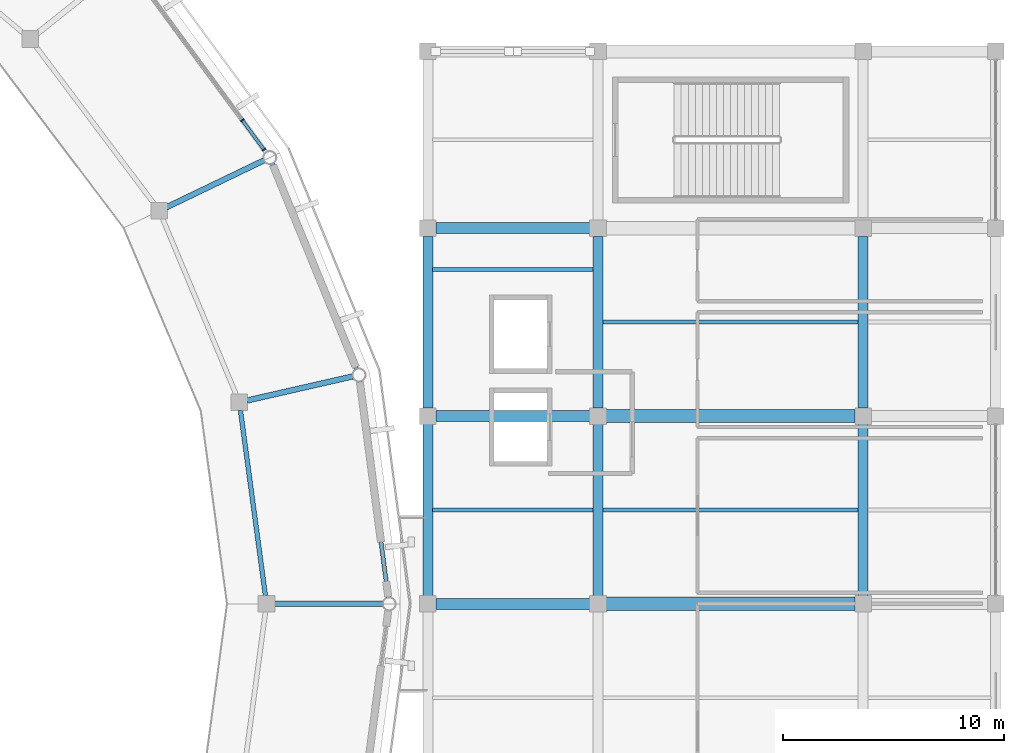
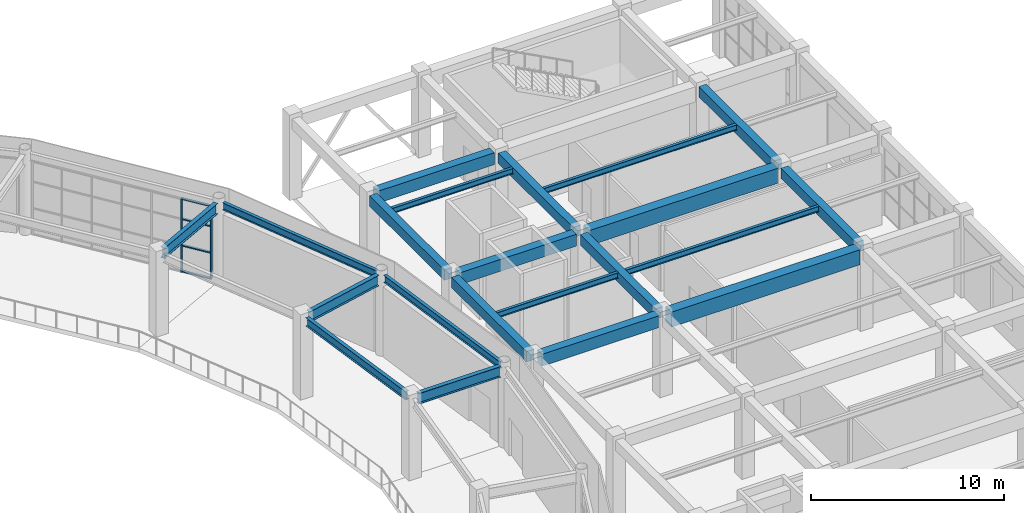
# One storey, part 37 of 70: 21 beams, 6 members, 1 element without a shape of its own.
"""IFC4 building model written with IfcOpenShell, lengths in metres."""

import ifcopenshell
import ifcopenshell.guid

model = None  # the IFC model being written
_history = None  # IfcOwnerHistory: only IFC2X3 demands one
_inside = {}  # id of a spatial element -> (the spatial element, [elements in it])
_under = {}  # id of a project, library or spatial element -> (it, [spatial elements below it])
_declared = {}  # id of a project -> (the project, [libraries it declares])
_typed = {}  # id of a type object -> (the type object, [elements of that type])
_made_of = {}  # id of a material, layer set ... -> (it, [elements and type objects made of it])


def new_model(schema):
    """Start an empty IFC model of exactly this schema.

    Asked for "IFC4X3", IfcOpenShell would pick the latest addendum, in which some entities
    have other attributes; the version numbers below select the first issue.
    IFC2X3 requires an IfcOwnerHistory on every rooted entity: one is made here for all.
    """
    global model, _history
    if schema == "IFC4X3":
        model = ifcopenshell.file(schema_version=(4, 3, 0, 0))
    else:
        model = ifcopenshell.file(schema=schema)
    _inside.clear()
    _under.clear()
    _declared.clear()
    _typed.clear()
    _made_of.clear()
    _history = None
    if model.schema == "IFC2X3":
        org = make("IfcOrganization", Name="unknown")
        user = make(
            "IfcPersonAndOrganization",
            ThePerson=make("IfcPerson", FamilyName="unknown"),
            TheOrganization=org,
        )
        app = make(
            "IfcApplication",
            ApplicationDeveloper=org,
            Version="unknown",
            ApplicationFullName="unknown",
            ApplicationIdentifier="unknown",
        )
        _history = make(
            "IfcOwnerHistory",
            OwningUser=user,
            OwningApplication=app,
            ChangeAction="ADDED",
            CreationDate=0,
        )
    return model


def make(cls, **values):
    """One entity of the class cls with the attributes given. An attribute that is None is left unset."""
    return model.create_entity(
        cls, **{name: value for name, value in values.items() if value is not None}
    )


def rooted(cls, **values):
    """An entity with a GlobalId (a new one), such as an element, a storey or a relation."""
    return make(cls, GlobalId=ifcopenshell.guid.new(), OwnerHistory=_history, **values)


def si_unit(unit_type, name, prefix=None):
    """IfcSIUnit, for example si_unit("LENGTHUNIT", "METRE", prefix="MILLI")."""
    return make("IfcSIUnit", UnitType=unit_type, Prefix=prefix, Name=name)


def assignment(units):
    """IfcUnitAssignment: the units of a project."""
    return None if units is None else make("IfcUnitAssignment", Units=units)


def point(xyz):
    """IfcCartesianPoint."""
    return None if xyz is None else make("IfcCartesianPoint", Coordinates=xyz)


def direction(xyz):
    """IfcDirection."""
    return None if xyz is None else make("IfcDirection", DirectionRatios=xyz)


def frame(location, z_axis=None, x_axis=None):
    """IfcAxis2Placement3D, a coordinate frame: its origin and axes. An axis left out is left unset."""
    return make(
        "IfcAxis2Placement3D",
        Location=point(location),
        Axis=direction(z_axis),
        RefDirection=direction(x_axis),
    )


def frame_2d(location, x_axis=None):
    """IfcAxis2Placement2D, a coordinate frame in the plane: its origin and x axis."""
    return make(
        "IfcAxis2Placement2D", Location=point(location), RefDirection=direction(x_axis)
    )


def origin():
    """The frame at (0, 0, 0) with its axes left unset."""
    return frame((0.0, 0.0, 0.0))


def origin_2d():
    """The frame at (0, 0) in the plane with its x axis left unset."""
    return frame_2d((0.0, 0.0))


def place(relative_to, where):
    """IfcLocalPlacement: puts the frame where relative to a parent placement (None: the world)."""
    return make(
        "IfcLocalPlacement", PlacementRelTo=relative_to, RelativePlacement=where
    )


def context(
    kind, dimensions, precision=None, world=None, true_north=None, identifier=None
):
    """IfcGeometricRepresentationContext, for example the 3D "Model" context."""
    return make(
        "IfcGeometricRepresentationContext",
        ContextIdentifier=identifier,
        ContextType=kind,
        CoordinateSpaceDimension=dimensions,
        Precision=precision,
        WorldCoordinateSystem=world,
        TrueNorth=true_north,
    )


def subcontext(parent, identifier, kind, view, scale=None):
    """IfcGeometricRepresentationSubContext, for example "Body" below "Model"."""
    return make(
        "IfcGeometricRepresentationSubContext",
        ContextIdentifier=identifier,
        ContextType=kind,
        ParentContext=parent,
        TargetScale=scale,
        TargetView=view,
    )


def project(units=None, contexts=None):
    """IfcProject with its units and contexts."""
    return rooted(
        "IfcProject",
        Name="project",
        RepresentationContexts=contexts,
        UnitsInContext=assignment(units),
    )


def spatial(cls, under=None, at=None, **own):
    """A site, building, storey or space (cls), placed at a placement, below another one or the project."""
    s = rooted(cls, ObjectPlacement=at, **own)
    if under is not None:
        _under.setdefault(under.id(), (under, []))[1].append(s)
    return s


def profile(cls, at=None, kind="AREA", **sizes):
    """A parametric profile (cls). Its sizes go by their IFC names, for example OverallWidth=200.0."""
    return make(cls, ProfileType=kind, Position=at, **sizes)


def rectangle(**sizes):
    """IfcRectangleProfileDef."""
    return profile("IfcRectangleProfileDef", **sizes)


def i_section(**sizes):
    """IfcIShapeProfileDef."""
    return profile("IfcIShapeProfileDef", **sizes)


def extrude(swept, where, along, depth):
    """IfcExtrudedAreaSolid: the profile swept, set in the frame where, extruded along a direction by depth."""
    return make(
        "IfcExtrudedAreaSolid",
        SweptArea=swept,
        Position=where,
        ExtrudedDirection=direction(along),
        Depth=depth,
    )


def shape(context_of_items, identifier, shape_type, items):
    """IfcShapeRepresentation: the items that make up one representation, for example the "Body"."""
    return make(
        "IfcShapeRepresentation",
        ContextOfItems=context_of_items,
        RepresentationIdentifier=identifier,
        RepresentationType=shape_type,
        Items=items,
    )


def material(Name=None, Category=None):
    """IfcMaterial."""
    return make("IfcMaterial", Name=Name, Category=Category)


def material_profile(
    of_material, cross_section, Name=None, Category=None, Priority=None
):
    """IfcMaterialProfile: a cross section and its material."""
    return make(
        "IfcMaterialProfile",
        Name=Name,
        Material=of_material,
        Profile=cross_section,
        Priority=Priority,
        Category=Category,
    )


def profile_set(profiles, Name=None, composite=None):
    """IfcMaterialProfileSet."""
    return make(
        "IfcMaterialProfileSet",
        Name=Name,
        MaterialProfiles=profiles,
        CompositeProfile=composite,
    )


def made_of(thing, what):
    """Note that an element or type object is made of a material, layer set ...; save() writes the relation."""
    if what is not None:
        _made_of.setdefault(what.id(), (what, []))[1].append(thing)
    return thing


def type_object(cls, material=None, **own):
    """A type object (cls), such as IfcWallType, which elements share."""
    return made_of(rooted(cls, **own), material)


def element(
    cls,
    number,
    at=None,
    inside=None,
    cuts=None,
    type_object=None,
    material=None,
    context=None,
    identifier="Body",
    shape_type=None,
    held_by="IfcProductDefinitionShape",
    body=None,
    shapes=None,
    **own,
):
    """One element of the class cls, such as IfcWall. Its Tag is "e" and its number.

    at: its placement. inside: the storey or other place that contains it. cuts: it is an
    opening in that element (IfcRelVoidsElement). A single representation is given by context,
    identifier, shape_type and body (its items); several are given by shapes. held_by: the class
    of the entity that holds the representations. save() writes the other relations.
    """
    e = rooted(cls, Tag="e%d" % number, ObjectPlacement=at, **own)
    if body is not None:
        shapes = [shape(context, identifier, shape_type, body)]
    if shapes is not None:
        e.Representation = make(held_by, Representations=shapes)
    if inside is not None:
        _inside.setdefault(inside.id(), (inside, []))[1].append(e)
    if cuts is not None:
        rooted(
            "IfcRelVoidsElement", RelatingBuildingElement=cuts, RelatedOpeningElement=e
        )
    if type_object is not None:
        _typed.setdefault(type_object.id(), (type_object, []))[1].append(e)
    return made_of(e, material)


def aggregate(whole, parts):
    """IfcRelAggregates: a whole, such as a stair, and the parts it consists of."""
    return rooted("IfcRelAggregates", RelatingObject=whole, RelatedObjects=parts)


def save(model, path):
    """Write the relations noted so far, then the file.

    IfcRelAggregates (storeys below a building ...), IfcRelContainedInSpatialStructure (elements
    in a storey), IfcRelDefinesByType, IfcRelAssociatesMaterial and IfcRelDeclares: one each for
    every whole, place, type object, material and project.
    """
    for whole, parts in _under.values():
        aggregate(whole, parts)
    for where, things in _inside.values():
        rooted(
            "IfcRelContainedInSpatialStructure",
            RelatedElements=things,
            RelatingStructure=where,
        )
    for kind, things in _typed.values():
        rooted("IfcRelDefinesByType", RelatedObjects=things, RelatingType=kind)
    for what, things in _made_of.values():
        rooted("IfcRelAssociatesMaterial", RelatedObjects=things, RelatingMaterial=what)
    for by, libraries in _declared.values():
        rooted("IfcRelDeclares", RelatingContext=by, RelatedDefinitions=libraries)
    model.write(path)


model = new_model("IFC4")

# Units and contexts
model_context = context("Model", 3, precision=1e-05, world=origin(), true_north=direction((0.0, 1.0)))
body_context = subcontext(model_context, "Body", "Model", "MODEL_VIEW")
ifc_project = project(units=[si_unit("LENGTHUNIT", "METRE"), si_unit("AREAUNIT", "SQUARE_METRE"), si_unit("VOLUMEUNIT", "CUBIC_METRE"), si_unit("PLANEANGLEUNIT", "RADIAN"), si_unit("MASSUNIT", "GRAM", prefix="KILO")], contexts=[model_context])

# Site, building, storey
site_placement = place(None, origin())
site = spatial("IfcSite", under=ifc_project, at=site_placement, CompositionType="ELEMENT")
building_placement = place(site_placement, origin())
building = spatial("IfcBuilding", under=site, at=building_placement, Name="Cuetzalor Civic Arena", CompositionType="ELEMENT")
storey_placement = place(building_placement, frame((0.0, 0.0, 21.0)))
storey = spatial("IfcBuildingStorey", under=building, at=storey_placement, Name="L04", CompositionType="ELEMENT", Elevation=21.0)

# Beams
ifc_material_1 = material(Name="Concrete C40/50", Category="concrete")
ifc_material_profile_1 = material_profile(ifc_material_1, rectangle(XDim=0.5, YDim=0.75, at=origin_2d()), Name="RC 500x750")
ifc_profile_set_1 = profile_set([ifc_material_profile_1], Name="Concrete C40/50")
beam_type_1 = type_object("IfcBeamType", Name="ConcreteFrameBeam_500x750", PredefinedType="BEAM", material=ifc_profile_set_1)
for number, where, z_axis, x_axis, name in (
    (1, (56.6650390625, 0.0, 4.7451171875), (1.0, 0.0, 0.0), (0.0, 1.0, 0.0), "Frame Girder V4E-L04-X1163"),
    (2, (56.6650390625, 8.5, 4.7451171875), (1.0, 0.0, 0.0), (0.0, 1.0, 0.0), "Frame Girder V4E-L04-X1166"),
    (3, (56.6650390625, 17.0, 4.7451171875), (1.0, 0.0, 0.0), (0.0, 1.0, 0.0), "Frame Girder V4E-L04-X1169"),
):
    element("IfcBeam", number, at=place(storey_placement, frame(where, z_axis=z_axis, x_axis=x_axis)), inside=storey, type_object=beam_type_1, Name=name, PredefinedType="BEAM", context=body_context, shape_type="SweptSolid", body=[
        extrude(rectangle(XDim=0.5, YDim=0.75, at=origin_2d()), origin(), (0.0, 0.0, 1.0), 6.969970703125),
    ])
ifc_material_2 = material(Name="Concrete C40/50", Category="concrete")
ifc_material_profile_2 = material_profile(ifc_material_2, rectangle(XDim=0.60009765625, YDim=0.949951171875, at=origin_2d()), Name="RC 600x950")
ifc_profile_set_2 = profile_set([ifc_material_profile_2], Name="Concrete C40/50")
beam_type_2 = type_object("IfcBeamType", Name="ConcreteFrameBeam_600x950", PredefinedType="BEAM", material=ifc_profile_set_2)
for number, where, z_axis, x_axis, name in (
    (4, (64.364990234375, 0.0, 4.64501953125), (1.0, 0.0, 0.0), (0.0, 1.0, 0.0), "Frame Girder V4E-L04-X1164"),
    (5, (64.364990234375, 8.5, 4.64501953125), (1.0, 0.0, 0.0), (0.0, 1.0, 0.0), "Frame Girder V4E-L04-X1167"),
):
    element("IfcBeam", number, at=place(storey_placement, frame(where, z_axis=z_axis, x_axis=x_axis)), inside=storey, type_object=beam_type_2, Name=name, PredefinedType="BEAM", context=body_context, shape_type="SweptSolid", body=[
        extrude(rectangle(XDim=0.60009765625, YDim=0.949951171875, at=origin_2d()), origin(), (0.0, 0.0, 1.0), 11.27001953125),
    ])
ifc_material_3 = material(Name="Concrete C40/50", Category="concrete")
ifc_material_profile_3 = material_profile(ifc_material_3, rectangle(XDim=0.449951171875, YDim=0.64990234375, at=origin_2d()), Name="RC 450x650")
ifc_profile_set_3 = profile_set([ifc_material_profile_3], Name="Concrete C40/50")
beam_type_3 = type_object("IfcBeamType", Name="ConcreteTieBeam_450x650", PredefinedType="BEAM", material=ifc_profile_set_3)
for number, where, z_axis, x_axis, name in (
    (6, (56.300048828125, 0.364990234375, 4.794921875), (0.0, 1.0, 0.0), (-1.0, 0.0, 0.0), "Frame Girder V4E-L04-Y1180"),
    (7, (56.300048828125, 8.864990234375, 4.794921875), (0.0, 1.0, 0.0), (-1.0, 0.0, 0.0), "Frame Girder V4E-L04-Y1181"),
    (8, (64.0, 0.364990234375, 4.794921875), (0.0, 1.0, 0.0), (-1.0, 0.0, 0.0), "Frame Girder V4E-L04-Y1188"),
    (9, (64.0, 8.864990234375, 4.794921875), (0.0, 1.0, 0.0), (-1.0, 0.0, 0.0), "Frame Girder V4E-L04-Y1189"),
    (10, (76.0, 0.364990234375, 4.794921875), (0.0, 1.0, 0.0), (-1.0, 0.0, 0.0), "Frame Girder V4E-L04-Y1196"),
    (11, (76.0, 8.864990234375, 4.794921875), (0.0, 1.0, 0.0), (-1.0, 0.0, 0.0), "Frame Girder V4E-L04-Y1197"),
):
    element("IfcBeam", number, at=place(storey_placement, frame(where, z_axis=z_axis, x_axis=x_axis)), inside=storey, type_object=beam_type_3, Name=name, PredefinedType="BEAM", context=body_context, shape_type="SweptSolid", body=[
        extrude(rectangle(XDim=0.449951171875, YDim=0.64990234375, at=origin_2d()), origin(), (0.0, 0.0, 1.0), 7.77001953125),
    ])

# Curtain wall, members
ifc_material_4 = material(Name="Anodised dark bronze aluminium and low-E solar glass", Category="aluminium")
curtain_wall_type = type_object("IfcCurtainWallType", Name="UnitisedCW_10150x4650", PredefinedType="USERDEFINED", material=ifc_material_4)
curtain_wall_placement = place(storey_placement, origin())
curtain_wall = element("IfcCurtainWall", 12, at=curtain_wall_placement, inside=storey, type_object=curtain_wall_type, Name="Drum Triangle Foyer Curtain Wall L04-057", ObjectType="UNITISED CURTAIN WALL", PredefinedType="USERDEFINED")
ifc_material_5 = material(Name="Anodised dark bronze aluminium", Category="aluminium")
ifc_material_profile_4 = material_profile(ifc_material_5, rectangle(XDim=0.070068359375, YDim=0.179931640625, at=origin_2d()), Name="ALU MULLION 70x180")
ifc_profile_set_4 = profile_set([ifc_material_profile_4], Name="Anodised dark bronze aluminium")
member_type_1 = type_object("IfcMemberType", Name="CurtainWallMullion_65x180", PredefinedType="MULLION", material=ifc_profile_set_4)
member_1_placement = place(storey_placement, frame((47.9033203125, 21.8876953125, 0.0), z_axis=(0.0, 0.0, 1.0), x_axis=(0.59292931222, -0.805254513002, 0.0)))
member_1 = element("IfcMember", 13, at=member_1_placement, type_object=member_type_1, Name="CW-06 mullion 6", PredefinedType="MULLION", context=body_context, shape_type="SweptSolid", body=[
    extrude(rectangle(XDim=0.070068359375, YDim=0.179931640625, at=origin_2d()), origin(), (0.0, 0.0, 1.0), 4.653076171875),
])
member_2_placement = place(storey_placement, frame((48.885009765625, 20.554443359375, 0.0), z_axis=(0.0, 0.0, 1.0), x_axis=(0.59292931222, -0.805254513002, 0.0)))
member_2 = element("IfcMember", 14, at=member_2_placement, type_object=member_type_1, Name="CW-06 mullion 7", PredefinedType="MULLION", context=body_context, shape_type="SweptSolid", body=[
    extrude(rectangle(XDim=0.070068359375, YDim=0.179931640625, at=origin_2d()), origin(), (0.0, 0.0, 1.0), 4.653076171875),
])
ifc_material_6 = material(Name="Anodised dark bronze aluminium", Category="aluminium")
ifc_material_profile_5 = material_profile(ifc_material_6, rectangle(XDim=0.139892578125, YDim=0.070068359375, at=origin_2d()), Name="ALU TRANSOM 70x140")
ifc_profile_set_5 = profile_set([ifc_material_profile_5], Name="Anodised dark bronze aluminium")
member_type_2 = type_object("IfcMemberType", Name="CurtainWallTransom_65x140", PredefinedType="USERDEFINED", material=ifc_profile_set_5)
member_3_placement = place(storey_placement, frame((47.924072265625, 21.859375, 0.034912109375), z_axis=(0.59293115048, -0.805253159442, 0.0), x_axis=(0.805253159442, 0.59293115048, 0.0)))
member_3 = element("IfcMember", 15, at=member_3_placement, type_object=member_type_2, Name="CW-06 transom 6.1", ObjectType="TRANSOM", PredefinedType="USERDEFINED", context=body_context, shape_type="SweptSolid", body=[
    extrude(rectangle(XDim=0.139892578125, YDim=0.070068359375, at=origin_2d()), origin(), (0.0, 0.0, 1.0), 1.585693359375),
])
member_4_placement = place(storey_placement, frame((47.924072265625, 21.859375, 1.675048828125), z_axis=(0.59293115048, -0.805253159442, 0.0), x_axis=(0.805253159442, 0.59293115048, 0.0)))
member_4 = element("IfcMember", 16, at=member_4_placement, type_object=member_type_2, Name="CW-06 transom 6.2", ObjectType="TRANSOM", PredefinedType="USERDEFINED", context=body_context, shape_type="SweptSolid", body=[
    extrude(rectangle(XDim=0.139892578125, YDim=0.070068359375, at=origin_2d()), origin(), (0.0, 0.0, 1.0), 1.585693359375),
])
member_5_placement = place(storey_placement, frame((47.924072265625, 21.859375, 3.35009765625), z_axis=(0.59293115048, -0.805253159442, 0.0), x_axis=(0.805253159442, 0.59293115048, 0.0)))
member_5 = element("IfcMember", 17, at=member_5_placement, type_object=member_type_2, Name="CW-06 transom 6.3", ObjectType="TRANSOM", PredefinedType="USERDEFINED", context=body_context, shape_type="SweptSolid", body=[
    extrude(rectangle(XDim=0.139892578125, YDim=0.070068359375, at=origin_2d()), origin(), (0.0, 0.0, 1.0), 1.585693359375),
])
member_6_placement = place(storey_placement, frame((47.924072265625, 21.859375, 4.617919921875), z_axis=(0.59293115048, -0.805253159442, 0.0), x_axis=(0.805253159442, 0.59293115048, 0.0)))
member_6 = element("IfcMember", 18, at=member_6_placement, type_object=member_type_2, Name="CW-06 transom 6.4", ObjectType="TRANSOM", PredefinedType="USERDEFINED", context=body_context, shape_type="SweptSolid", body=[
    extrude(rectangle(XDim=0.139892578125, YDim=0.070068359375, at=origin_2d()), origin(), (0.0, 0.0, 1.0), 1.585693359375),
])
aggregate(curtain_wall, [member_1, member_2, member_3, member_4, member_5, member_6])

# Beams
ifc_material_7 = material(Name="Steel S355", Category="steel")
ifc_material_profile_6 = material_profile(ifc_material_7, i_section(OverallWidth=0.18994140625, OverallDepth=0.45703125, WebThickness=0.009033203125, FlangeThickness=0.014404296875, at=origin_2d()), Name="W460x74")
ifc_profile_set_6 = profile_set([ifc_material_profile_6], Name="Steel S355")
beam_type_4 = type_object("IfcBeamType", Name="FacadeSpandrelBeam_W460", PredefinedType="SPANDREL", material=ifc_profile_set_6)
beam_1_placement = place(storey_placement, frame((54.511962890625, 0.28759765625, 4.8916015625), z_axis=(-0.130901206694, 0.991395417624, 0.0), x_axis=(-0.991395417624, -0.130901206694, 0.0)))
element("IfcBeam", 19, at=beam_1_placement, inside=storey, type_object=beam_type_4, Name="Drum Perimeter Spandrel L04-S01", PredefinedType="SPANDREL", context=body_context, shape_type="SweptSolid", body=[
    extrude(i_section(OverallWidth=0.18994140625, OverallDepth=0.45703125, WebThickness=0.009033203125, FlangeThickness=0.014404296875, at=origin_2d()), origin(), (0.0, 0.0, 1.0), 9.8681640625),
])
beam_2_placement = place(storey_placement, frame((53.072265625, 10.626708984375, 4.8916015625), z_axis=(-0.379398599643, 0.925233323324, 0.0), x_axis=(-0.925233323324, -0.379398599643, 0.0)))
element("IfcBeam", 20, at=beam_2_placement, inside=storey, type_object=beam_type_4, Name="Drum Perimeter Spandrel L04-S02", PredefinedType="SPANDREL", context=body_context, shape_type="SweptSolid", body=[
    extrude(i_section(OverallWidth=0.18994140625, OverallDepth=0.45703125, WebThickness=0.009033203125, FlangeThickness=0.014404296875, at=origin_2d()), origin(), (0.0, 0.0, 1.0), 10.053955078125),
])
ifc_material_8 = material(Name="Steel S355", Category="steel")
ifc_material_profile_7 = material_profile(ifc_material_8, i_section(OverallWidth=0.1708984375, OverallDepth=0.35498046875, WebThickness=0.007080078125, FlangeThickness=0.01171875, at=origin_2d()), Name="W360x51")
ifc_profile_set_7 = profile_set([ifc_material_profile_7], Name="Steel S355")
beam_type_5 = type_object("IfcBeamType", Name="SecondaryFloorJoist_W360", PredefinedType="JOIST", material=ifc_profile_set_7)
for number, where, z_axis, x_axis, name in (
    (21, (56.51708984375, 4.25, 4.9423828125), (1.0, 0.0, 0.0), (0.0, 1.0, 0.0), "Secondary Floor Joist V4E-L04-0361"),
    (22, (56.51708984375, 15.1298828125, 4.9423828125), (1.0, 0.0, 0.0), (0.0, 1.0, 0.0), "Secondary Floor Joist V4E-L04-0362"),
):
    element("IfcBeam", number, at=place(storey_placement, frame(where, z_axis=z_axis, x_axis=x_axis)), inside=storey, type_object=beam_type_5, Name=name, PredefinedType="JOIST", context=body_context, shape_type="SweptSolid", body=[
        extrude(i_section(OverallWidth=0.1708984375, OverallDepth=0.35498046875, WebThickness=0.007080078125, FlangeThickness=0.01171875, at=origin_2d()), origin(), (0.0, 0.0, 1.0), 7.265869140625),
    ])
for number, where, z_axis, x_axis, name in (
    (23, (64.217041015625, 4.25, 4.9423828125), (1.0, 0.0, 0.0), (0.0, 1.0, 0.0), "Secondary Floor Joist V4E-L04-0368"),
    (24, (64.217041015625, 12.75, 4.9423828125), (1.0, 0.0, 0.0), (0.0, 1.0, 0.0), "Secondary Floor Joist V4E-L04-0369"),
):
    element("IfcBeam", number, at=place(storey_placement, frame(where, z_axis=z_axis, x_axis=x_axis)), inside=storey, type_object=beam_type_5, Name=name, PredefinedType="JOIST", context=body_context, shape_type="SweptSolid", body=[
        extrude(i_section(OverallWidth=0.1708984375, OverallDepth=0.35498046875, WebThickness=0.007080078125, FlangeThickness=0.01171875, at=origin_2d()), origin(), (0.0, 0.0, 1.0), 11.56591796875),
    ])
ifc_material_9 = material(Name="Steel S355", Category="steel")
ifc_material_profile_8 = material_profile(ifc_material_9, i_section(OverallWidth=0.208984375, OverallDepth=0.532958984375, WebThickness=0.01025390625, FlangeThickness=0.015625, at=origin_2d()), Name="W530x92")
ifc_profile_set_8 = profile_set([ifc_material_profile_8], Name="Steel S355")
beam_type_6 = type_object("IfcBeamType", Name="SteelCollarGirder_W530", PredefinedType="BEAM", material=ifc_profile_set_8)
beam_3_placement = place(storey_placement, frame((48.95068359375, 0.36669921875, 4.853515625), z_axis=(-0.13346702922, 0.991053253923, 0.0), x_axis=(-0.991053253923, -0.13346702922, 0.0)))
element("IfcBeam", 25, at=beam_3_placement, inside=storey, type_object=beam_type_6, Name="Drum Concourse Ring Girder L04-S01", PredefinedType="BEAM", context=body_context, shape_type="SweptSolid", body=[
    extrude(i_section(OverallWidth=0.208984375, OverallDepth=0.532958984375, WebThickness=0.01025390625, FlangeThickness=0.015625, at=origin_2d()), origin(), (0.0, 0.0, 1.0), 8.465576171875),
])
ifc_material_10 = material(Name="Steel S355", Category="steel")
ifc_material_profile_9 = material_profile(ifc_material_10, i_section(OverallWidth=0.2529296875, OverallDepth=0.677978515625, WebThickness=0.01171875, FlangeThickness=0.016357421875, at=origin_2d()), Name="W690x125")
ifc_profile_set_9 = profile_set([ifc_material_profile_9], Name="Steel S355")
beam_type_7 = type_object("IfcBeamType", Name="SteelPrimaryGirder_W690", PredefinedType="BEAM", material=ifc_profile_set_9)
for number, where, z_axis, x_axis, name in (
    (26, (49.360107421875, 0.0, 4.781005859375), (1.0, 0.0, 0.0), (0.0, 1.0, 0.0), "Drum Radial Girder L04-R01"),
    (27, (48.12255859375, 9.20361328125, 4.781005859375), (0.974939153271, 0.222471677792, 0.0), (-0.222471677792, 0.974939153271, 0.0), "Drum Radial Girder L04-R02"),
):
    element("IfcBeam", number, at=place(storey_placement, frame(where, z_axis=z_axis, x_axis=x_axis)), inside=storey, type_object=beam_type_7, Name=name, PredefinedType="BEAM", context=body_context, shape_type="SweptSolid", body=[
        extrude(i_section(OverallWidth=0.2529296875, OverallDepth=0.677978515625, WebThickness=0.01171875, FlangeThickness=0.016357421875, at=origin_2d()), origin(), (0.0, 0.0, 1.0), 4.89990234375),
    ])
beam_4_placement = place(storey_placement, frame((44.4716796875, 17.9453125, 4.781005859375), z_axis=(0.900964883231, 0.433892013275, 0.0), x_axis=(-0.433892013275, 0.900964883231, 0.0)))
element("IfcBeam", 28, at=beam_4_placement, inside=storey, type_object=beam_type_7, Name="Drum Radial Girder L04-R03", PredefinedType="BEAM", context=body_context, shape_type="SweptSolid", body=[
    extrude(i_section(OverallWidth=0.2529296875, OverallDepth=0.677978515625, WebThickness=0.01171875, FlangeThickness=0.016357421875, at=origin_2d()), origin(), (0.0, 0.0, 1.0), 4.900390625),
])

save(model, "model.ifc")
